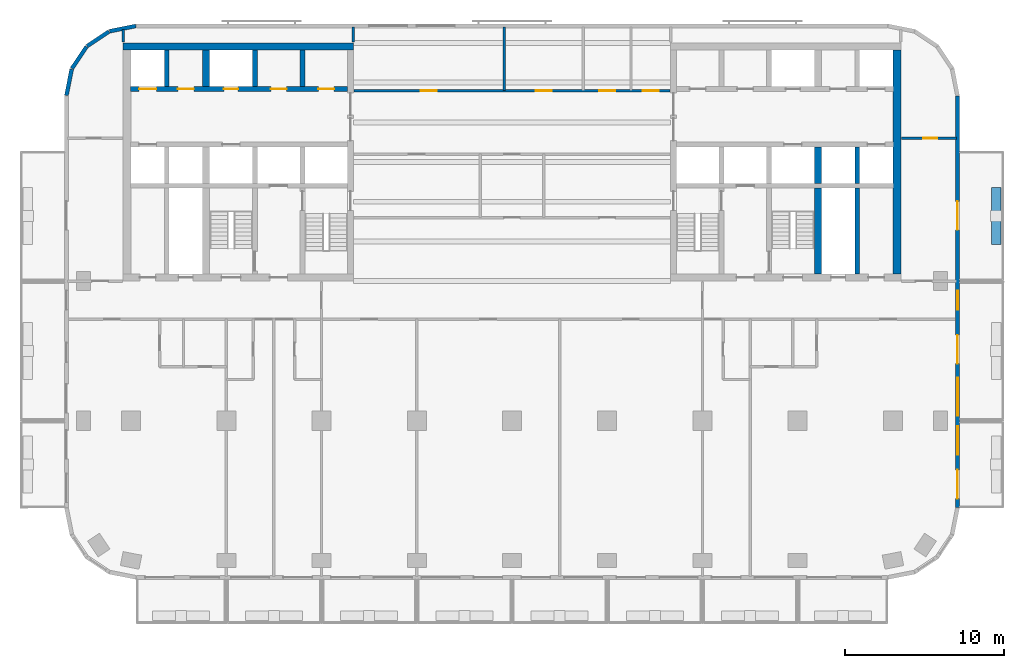
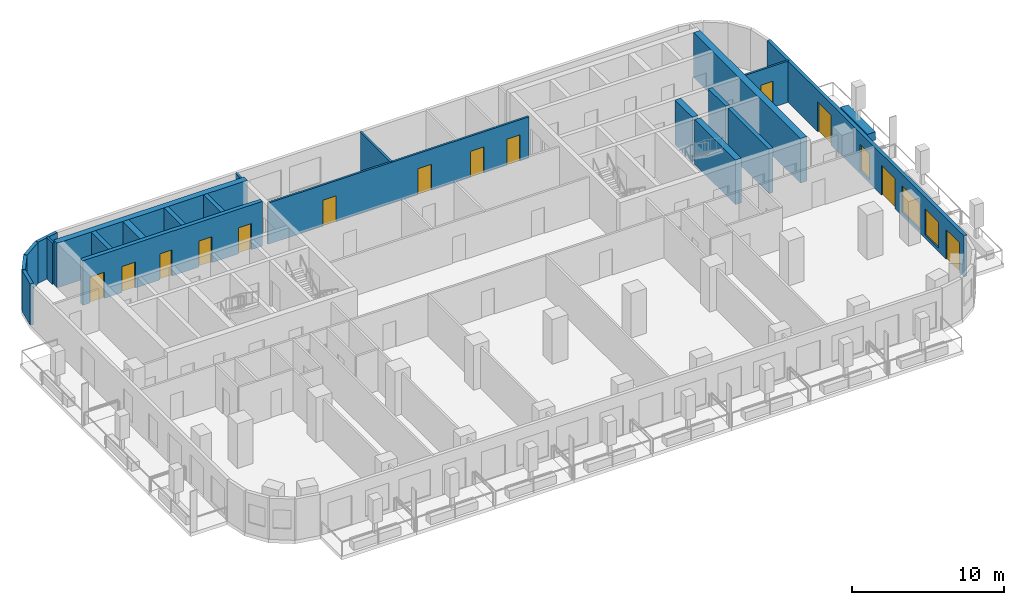
# One storey, part 6 of 11: 22 walls, 13 doors, 3 windows, 16 openings.
"""IFC4 building model written with IfcOpenShell, lengths in metres."""

from ifc_helpers import new_model, si_unit, direction, frame, frame_2d, origin, place, context, subcontext, project, spatial, rectangle, extrude, material, layer, layer_set, type_object, element, fill, save


model = new_model("IFC4")

# Units and contexts
model_context = context("Model", 3, precision=1e-05, world=origin(), true_north=direction((0.0, 1.0)))
body_context = subcontext(model_context, "Body", "Model", "MODEL_VIEW")
ifc_project = project(units=[si_unit("LENGTHUNIT", "METRE"), si_unit("AREAUNIT", "SQUARE_METRE"), si_unit("VOLUMEUNIT", "CUBIC_METRE"), si_unit("PLANEANGLEUNIT", "RADIAN"), si_unit("MASSUNIT", "GRAM", prefix="KILO")], contexts=[model_context])

# Site, building, storey
site_placement = place(None, origin())
site = spatial("IfcSite", under=ifc_project, at=site_placement, CompositionType="ELEMENT")
building_placement = place(site_placement, origin())
building = spatial("IfcBuilding", under=site, at=building_placement, Name="Torana Hotel and Residences", CompositionType="ELEMENT")
storey_placement = place(building_placement, frame((0.0, 0.0, 141.60009765625)))
storey = spatial("IfcBuildingStorey", under=building, at=storey_placement, Name="L36", CompositionType="ELEMENT", Elevation=141.60009765625)

# Wall, openings, doors
ifc_material_1 = material(Name="Concrete C70/85", Category="concrete")
ifc_layer_1 = layer(ifc_material_1, 0.300048828125)
ifc_layer_set_1 = layer_set([ifc_layer_1], Name="CORE WALL 300 C70/85")
wall_type_1 = type_object("IfcWallType", Name="CORE WALL 300 C70/85", PredefinedType="SHEAR", material=ifc_layer_set_1)
wall_1_placement = place(storey_placement, frame((-24.050048828125, -2.89990234375, 0.0), z_axis=(0.0, 0.0, 1.0), x_axis=(1.0, 0.0, 0.0)))
wall_1 = element("IfcWall", 1, at=wall_1_placement, inside=storey, type_object=wall_type_1, Name="Core wall W row-N", PredefinedType="SHEAR", context=body_context, shape_type="SweptSolid", body=[
    extrude(rectangle(XDim=13.699951171875, YDim=0.300048828125, at=frame_2d((6.85009765625, 0.0))), origin(), (0.0, 0.0, 1.0), 3.599853515625),
])
opening_1_placement = place(wall_1_placement, frame((0.550048828125, 0.0, 0.0)))
opening_1 = element("IfcOpeningElement", 2, at=opening_1_placement, cuts=wall_1, Name="Opening LD", PredefinedType="OPENING", context=body_context, shape_type="SweptSolid", body=[
    extrude(rectangle(XDim=1.10009765625, YDim=2.10009765625, at=frame_2d((0.550048828125, 1.050048828125))), frame((0.0, 0.159912109375, 0.0), z_axis=(0.0, -1.0, 0.0), x_axis=(1.0, 0.0, 0.0)), (0.0, 0.0, 1.0), 0.320068359375),
])
opening_2_placement = place(wall_1_placement, frame((5.89990234375, 0.0, 0.0)))
opening_2 = element("IfcOpeningElement", 3, at=opening_2_placement, cuts=wall_1, Name="Opening L36-08", PredefinedType="OPENING", context=body_context, shape_type="SweptSolid", body=[
    extrude(rectangle(XDim=0.89990234375, YDim=2.10009765625, at=frame_2d((0.449951171875, 1.050048828125))), frame((0.0, 0.159912109375, 0.0), z_axis=(0.0, -1.0, 0.0), x_axis=(1.0, 0.0, 0.0)), (0.0, 0.0, 1.0), 0.320068359375),
])
opening_3_placement = place(wall_1_placement, frame((11.85009765625, 0.0, 0.0)))
opening_3 = element("IfcOpeningElement", 4, at=opening_3_placement, cuts=wall_1, Name="Opening L36-09", PredefinedType="OPENING", context=body_context, shape_type="SweptSolid", body=[
    extrude(rectangle(XDim=1.0, YDim=2.10009765625, at=frame_2d((0.5, 1.050048828125))), frame((0.0, 0.159912109375, 0.0), z_axis=(0.0, -1.0, 0.0), x_axis=(1.0, 0.0, 0.0)), (0.0, 0.0, 1.0), 0.320068359375),
])
opening_4_placement = place(wall_1_placement, frame((8.85009765625, 0.0, 0.0)))
opening_4 = element("IfcOpeningElement", 5, at=opening_4_placement, cuts=wall_1, Name="Opening L36-10", PredefinedType="OPENING", context=body_context, shape_type="SweptSolid", body=[
    extrude(rectangle(XDim=1.0, YDim=2.10009765625, at=frame_2d((0.5, 1.050048828125))), frame((0.0, 0.159912109375, 0.0), z_axis=(0.0, -1.0, 0.0), x_axis=(1.0, 0.0, 0.0)), (0.0, 0.0, 1.0), 0.320068359375),
])
opening_5_placement = place(wall_1_placement, frame((3.0, 0.0, 0.0)))
opening_5 = element("IfcOpeningElement", 6, at=opening_5_placement, cuts=wall_1, Name="Opening L36-11", PredefinedType="OPENING", context=body_context, shape_type="SweptSolid", body=[
    extrude(rectangle(XDim=1.0, YDim=2.10009765625, at=frame_2d((0.5, 1.050048828125))), frame((0.0, 0.159912109375, 0.0), z_axis=(0.0, -1.0, 0.0), x_axis=(1.0, 0.0, 0.0)), (0.0, 0.0, 1.0), 0.320068359375),
])
ifc_material_2 = material(Name="Steel S235", Category="steel")
door_type_1 = type_object("IfcDoorType", Name="CORE ROOM FIRE DOOR D14 1000x2100", OperationType="SINGLE_SWING_LEFT", PredefinedType="DOOR", material=ifc_material_2)
door_1_placement = place(opening_3_placement, origin())
door_1 = element("IfcDoor", 7, at=door_1_placement, inside=storey, type_object=door_type_1, Name="N0 door L36", OperationType="SINGLE_SWING_RIGHT", OverallHeight=2.10009765625, OverallWidth=1.0, PredefinedType="DOOR", context=body_context, shape_type="SweptSolid", body=[
    extrude(rectangle(XDim=1.0, YDim=2.10009765625, at=frame_2d((0.5, 1.050048828125))), frame((0.0, 0.02490234375, 0.0), z_axis=(0.0, -1.0, 0.0), x_axis=(1.0, 0.0, 0.0)), (0.0, 0.0, 1.0), 0.050048828125),
])
fill(opening_3, door_1)
door_2_placement = place(opening_4_placement, origin())
door_2 = element("IfcDoor", 8, at=door_2_placement, inside=storey, type_object=door_type_1, Name="N1 door L36", OperationType="SINGLE_SWING_RIGHT", OverallHeight=2.10009765625, OverallWidth=1.0, PredefinedType="DOOR", context=body_context, shape_type="SweptSolid", body=[
    extrude(rectangle(XDim=1.0, YDim=2.10009765625, at=frame_2d((0.5, 1.050048828125))), frame((0.0, 0.02490234375, 0.0), z_axis=(0.0, -1.0, 0.0), x_axis=(1.0, 0.0, 0.0)), (0.0, 0.0, 1.0), 0.050048828125),
])
fill(opening_4, door_2)
door_3_placement = place(opening_5_placement, origin())
door_3 = element("IfcDoor", 9, at=door_3_placement, inside=storey, type_object=door_type_1, Name="Freed-S1 door L36", OperationType="SINGLE_SWING_RIGHT", OverallHeight=2.10009765625, OverallWidth=1.0, PredefinedType="DOOR", context=body_context, shape_type="SweptSolid", body=[
    extrude(rectangle(XDim=1.0, YDim=2.10009765625, at=frame_2d((0.5, 1.050048828125))), frame((0.0, 0.02490234375, 0.0), z_axis=(0.0, -1.0, 0.0), x_axis=(1.0, 0.0, 0.0)), (0.0, 0.0, 1.0), 0.050048828125),
])
fill(opening_5, door_3)
ifc_material_3 = material(Name="Stainless steel 316", Category="steel")
door_type_2 = type_object("IfcDoorType", Name="LIFT LANDING DOOR LD 1100x2100", OperationType="DOUBLE_DOOR_SLIDING", PredefinedType="USERDEFINED", material=ifc_material_3)
door_4_placement = place(opening_1_placement, origin())
door_4 = element("IfcDoor", 10, at=door_4_placement, inside=storey, type_object=door_type_2, Name="Lift landing door M1 L36", ObjectType="LIFT LANDING DOOR", OperationType="DOUBLE_DOOR_SLIDING", OverallHeight=2.10009765625, OverallWidth=1.10009765625, PredefinedType="USERDEFINED", context=body_context, shape_type="SweptSolid", body=[
    extrude(rectangle(XDim=1.10009765625, YDim=2.10009765625, at=frame_2d((0.550048828125, 1.050048828125))), frame((0.0, 0.02490234375, 0.0), z_axis=(0.0, -1.0, 0.0), x_axis=(1.0, 0.0, 0.0)), (0.0, 0.0, 1.0), 0.050048828125),
])
fill(opening_1, door_4)
ifc_material_4 = material(Name="Steel S235", Category="steel")
door_type_3 = type_object("IfcDoorType", Name="RISER ACCESS DOOR D5 900x2100", OperationType="SINGLE_SWING_LEFT", PredefinedType="DOOR", material=ifc_material_4)
door_5_placement = place(opening_2_placement, origin())
door_5 = element("IfcDoor", 11, at=door_5_placement, inside=storey, type_object=door_type_3, Name="N2 door L36", OperationType="SINGLE_SWING_RIGHT", OverallHeight=2.10009765625, OverallWidth=0.89990234375, PredefinedType="DOOR", context=body_context, shape_type="SweptSolid", body=[
    extrude(rectangle(XDim=0.89990234375, YDim=2.10009765625, at=frame_2d((0.449951171875, 1.050048828125))), frame((0.0, 0.02490234375, 0.0), z_axis=(0.0, -1.0, 0.0), x_axis=(1.0, 0.0, 0.0)), (0.0, 0.0, 1.0), 0.050048828125),
])
fill(opening_2, door_5)

# Walls
for number, where, z_axis, x_axis, name in (
    (12, (-13.199951171875, -2.75, 0.0), (0.0, 0.0, 1.0), (0.0, 1.0, 0.0), "Core wall W x3.05-N"),
    (13, (-16.199951171875, -2.75, 0.0), (0.0, 0.0, 1.0), (0.0, 1.0, 0.0), "Core wall W x6.05-N"),
    (14, (-21.75, -2.75, 0.0), (0.0, 0.0, 1.0), (0.0, 1.0, 0.0), "Core wall W mm-N"),
    (15, (21.75, -8.85009765625, 0.0), (0.0, 0.0, 1.0), (0.0, 1.0, 0.0), "Core wall E mm-S"),
):
    element("IfcWall", number, at=place(storey_placement, frame(where, z_axis=z_axis, x_axis=x_axis)), inside=storey, type_object=wall_type_1, Name=name, PredefinedType="SHEAR", context=body_context, shape_type="SweptSolid", body=[
        extrude(rectangle(XDim=2.300048828125, YDim=0.300048828125, at=frame_2d((1.14990234375, 0.0))), origin(), (0.0, 0.0, 1.0), 3.599853515625),
    ])
wall_2_placement = place(storey_placement, frame((21.75, -14.550048828125, 0.0), z_axis=(0.0, 0.0, 1.0), x_axis=(0.0, 1.0, 0.0)))
element("IfcWall", 16, at=wall_2_placement, inside=storey, type_object=wall_type_1, Name="Core wall E mm-band", PredefinedType="SHEAR", context=body_context, shape_type="SweptSolid", body=[
    extrude(rectangle(XDim=5.400146484375, YDim=0.300048828125, at=frame_2d((2.7001953125, 0.0))), origin(), (0.0, 0.0, 1.0), 3.599853515625),
])
ifc_material_5 = material(Name="Concrete C70/85", Category="concrete")
ifc_layer_2 = layer(ifc_material_5, 0.449951171875)
ifc_layer_set_2 = layer_set([ifc_layer_2], Name="CORE WALL 450 C70/85")
wall_type_2 = type_object("IfcWallType", Name="CORE WALL 450 C70/85", PredefinedType="SHEAR", material=ifc_layer_set_2)
wall_3_placement = place(storey_placement, frame((-24.5, -0.22509765625, 0.0), z_axis=(0.0, 0.0, 1.0), x_axis=(1.0, 0.0, 0.0)))
element("IfcWall", 17, at=wall_3_placement, inside=storey, type_object=wall_type_2, Name="Core wall W rear", PredefinedType="SHEAR", context=body_context, shape_type="SweptSolid", body=[
    extrude(rectangle(XDim=14.5, YDim=0.449951171875, at=frame_2d((7.25, 0.0))), origin(), (0.0, 0.0, 1.0), 3.599853515625),
])
for number, where, z_axis, x_axis, name in (
    (18, (-19.27490234375, -2.75, 0.0), (0.0, 0.0, 1.0), (0.0, 1.0, 0.0), "Core wall W hm-N"),
    (19, (19.27490234375, -8.85009765625, 0.0), (0.0, 0.0, 1.0), (0.0, 1.0, 0.0), "Core wall E hm-S"),
):
    element("IfcWall", number, at=place(storey_placement, frame(where, z_axis=z_axis, x_axis=x_axis)), inside=storey, type_object=wall_type_2, Name=name, PredefinedType="SHEAR", context=body_context, shape_type="SweptSolid", body=[
        extrude(rectangle(XDim=2.300048828125, YDim=0.449951171875, at=frame_2d((1.14990234375, 0.0))), origin(), (0.0, 0.0, 1.0), 3.599853515625),
    ])
wall_4_placement = place(storey_placement, frame((19.27490234375, -14.550048828125, 0.0), z_axis=(0.0, 0.0, 1.0), x_axis=(0.0, 1.0, 0.0)))
element("IfcWall", 20, at=wall_4_placement, inside=storey, type_object=wall_type_2, Name="Core wall E hm-band", PredefinedType="SHEAR", context=body_context, shape_type="SweptSolid", body=[
    extrude(rectangle(XDim=5.400146484375, YDim=0.449951171875, at=frame_2d((2.7001953125, 0.0))), origin(), (0.0, 0.0, 1.0), 3.599853515625),
])
ifc_material_6 = material(Name="Concrete C70/85", Category="concrete")
ifc_layer_3 = layer(ifc_material_6, 0.5)
ifc_layer_set_3 = layer_set([ifc_layer_3], Name="CORE WALL 500 C70/85")
wall_type_3 = type_object("IfcWallType", Name="CORE WALL 500 C70/85", PredefinedType="SHEAR", material=ifc_layer_set_3)
wall_5_placement = place(storey_placement, frame((24.25, -14.550048828125, 0.0), z_axis=(0.0, 0.0, 1.0), x_axis=(0.0, 1.0, 0.0)))
element("IfcWall", 21, at=wall_5_placement, inside=storey, type_object=wall_type_3, Name="Core wall E outer", PredefinedType="SHEAR", context=body_context, shape_type="SweptSolid", body=[
    extrude(rectangle(XDim=14.10009765625, YDim=0.5, at=frame_2d((7.050048828125, 0.0))), origin(), (0.0, 0.0, 1.0), 3.599853515625),
])
ifc_material_7 = material(Name="Black aluminium composite panel", Category="aluminium")
ifc_layer_4 = layer(ifc_material_7, 0.00390625, Name="Cladding", Category="cladding")
ifc_material_8 = material(Name="Ventilated air cavity")
ifc_layer_5 = layer(ifc_material_8, 0.0400390625, Name="Ventilated cavity", Category="cavity")
ifc_material_9 = material(Name="Mineral wool insulation")
ifc_layer_6 = layer(ifc_material_9, 0.090087890625, Name="Insulation", Category="insulation")
ifc_material_10 = material(Name="Steel S280GD", Category="steel")
ifc_layer_7 = layer(ifc_material_10, 0.092041015625, Name="Steel stud frame", Category="structure")
ifc_material_11 = material(Name="Fire rated plasterboard")
ifc_layer_8 = layer(ifc_material_11, 0.011962890625, Name="Inner board", Category="finish")
ifc_layer_9 = layer(ifc_material_11, 0.011962890625, Name="Second board", Category="finish")
ifc_layer_set_4 = layer_set([ifc_layer_4, ifc_layer_5, ifc_layer_6, ifc_layer_7, ifc_layer_8, ifc_layer_9], Name="EW1 EXTERNAL WALL BLACK METAL CLAD 250")
wall_type_4 = type_object("IfcWallType", Name="EW1 EXTERNAL WALL BLACK METAL CLAD 250", PredefinedType="SOLIDWALL", material=ifc_layer_set_4)
wall_6_placement = place(storey_placement, frame((-23.69970703125, 1.072509765625, 0.0), z_axis=(0.0, 0.0, 1.0), x_axis=(-0.980803419081, -0.194999110559, 0.0)))
element("IfcWall", 22, at=wall_6_placement, inside=storey, type_object=wall_type_4, Name="External wall L36 e0.5", PredefinedType="SOLIDWALL", context=body_context, shape_type="SweptSolid", body=[
    extrude(rectangle(XDim=1.681396484375, YDim=0.25, at=frame_2d((0.8408203125, 0.0))), origin(), (0.0, 0.0, 1.0), 3.31982421875),
])
for number, where, z_axis, x_axis, name in (
    (23, (-25.39404296875, 0.725830078125, 0.0), (0.0, 0.0, 1.0), (-0.831482937015, -0.55555029066, 0.0), "External wall L36 e0.6"),
    (24, (-26.8056640625, -0.228759765625, 0.0), (0.0, 0.0, 1.0), (-0.55555029066, -0.831482937015, 0.0), "External wall L36 e0.7"),
):
    element("IfcWall", number, at=place(storey_placement, frame(where, z_axis=z_axis, x_axis=x_axis)), inside=storey, type_object=wall_type_4, Name=name, PredefinedType="SOLIDWALL", context=body_context, shape_type="SweptSolid", body=[
        extrude(rectangle(XDim=1.65625, YDim=0.25, at=frame_2d((0.828125, 0.0))), origin(), (0.0, 0.0, 1.0), 3.31982421875),
    ])
wall_7_placement = place(storey_placement, frame((-27.74462890625, -1.651123046875, 0.0), z_axis=(0.0, 0.0, 1.0), x_axis=(-0.194999110559, -0.980803419081, 0.0)))
element("IfcWall", 25, at=wall_7_placement, inside=storey, type_object=wall_type_4, Name="External wall L36 e0.8", PredefinedType="SOLIDWALL", context=body_context, shape_type="SweptSolid", body=[
    extrude(rectangle(XDim=1.681396484375, YDim=0.25, at=frame_2d((0.8408203125, 0.0))), origin(), (0.0, 0.0, 1.0), 3.31982421875),
])

# Wall, openings, doors, windows
wall_8_placement = place(storey_placement, frame((28.074951171875, -29.275390625, 0.0), z_axis=(0.0, 0.0, 1.0), x_axis=(0.0, 1.0, 0.0)))
wall_8 = element("IfcWall", 26, at=wall_8_placement, inside=storey, type_object=wall_type_4, Name="External wall L36 e0.19", PredefinedType="SOLIDWALL", context=body_context, shape_type="SweptSolid", body=[
    extrude(rectangle(XDim=25.95068359375, YDim=0.25, at=frame_2d((12.975341796875, 0.0))), origin(), (0.0, 0.0, 1.0), 3.31982421875),
])
opening_6_placement = place(wall_8_placement, frame((0.575439453125, 0.0, 0.0)))
opening_6 = element("IfcOpeningElement", 27, at=opening_6_placement, cuts=wall_8, Name="Opening L36-E09", PredefinedType="OPENING", context=body_context, shape_type="SweptSolid", body=[
    extrude(rectangle(XDim=1.800048828125, YDim=2.39990234375, at=frame_2d((0.89990234375, 1.199951171875))), frame((0.0, 0.135009765625, 0.0), z_axis=(0.0, -1.0, 0.0), x_axis=(1.0, 0.0, 0.0)), (0.0, 0.0, 1.0), 0.27001953125),
])
opening_7_placement = place(wall_8_placement, frame((3.325439453125, 0.0, 0.300048828125)))
opening_7 = element("IfcOpeningElement", 28, at=opening_7_placement, cuts=wall_8, Name="Opening W2", PredefinedType="OPENING", context=body_context, shape_type="SweptSolid", body=[
    extrude(rectangle(XDim=1.800048828125, YDim=2.10009765625, at=frame_2d((0.89990234375, 1.050048828125))), frame((0.0, 0.135009765625, 0.0), z_axis=(0.0, -1.0, 0.0), x_axis=(1.0, 0.0, 0.0)), (0.0, 0.0, 1.0), 0.27001953125),
])
opening_8_placement = place(wall_8_placement, frame((5.775390625, 0.0, 0.300048828125)))
opening_8 = element("IfcOpeningElement", 29, at=opening_8_placement, cuts=wall_8, Name="Opening W1", PredefinedType="OPENING", context=body_context, shape_type="SweptSolid", body=[
    extrude(rectangle(XDim=2.39990234375, YDim=2.10009765625, at=frame_2d((1.199951171875, 1.050048828125))), frame((0.0, 0.135009765625, 0.0), z_axis=(0.0, -1.0, 0.0), x_axis=(1.0, 0.0, 0.0)), (0.0, 0.0, 1.0), 0.27001953125),
])
opening_9_placement = place(wall_8_placement, frame((9.075439453125, 0.0, 0.0)))
opening_9 = element("IfcOpeningElement", 30, at=opening_9_placement, cuts=wall_8, Name="Opening L36-E10", PredefinedType="OPENING", context=body_context, shape_type="SweptSolid", body=[
    extrude(rectangle(XDim=1.800048828125, YDim=2.39990234375, at=frame_2d((0.89990234375, 1.199951171875))), frame((0.0, 0.135009765625, 0.0), z_axis=(0.0, -1.0, 0.0), x_axis=(1.0, 0.0, 0.0)), (0.0, 0.0, 1.0), 0.27001953125),
])
opening_10_placement = place(wall_8_placement, frame((12.475341796875, 0.0, 0.300048828125)))
opening_10 = element("IfcOpeningElement", 31, at=opening_10_placement, cuts=wall_8, Name="Opening W7", PredefinedType="OPENING", context=body_context, shape_type="SweptSolid", body=[
    extrude(rectangle(XDim=1.199951171875, YDim=2.10009765625, at=frame_2d((0.60009765625, 1.050048828125))), frame((0.0, 0.135009765625, 0.0), z_axis=(0.0, -1.0, 0.0), x_axis=(1.0, 0.0, 0.0)), (0.0, 0.0, 1.0), 0.27001953125),
])
opening_11_placement = place(wall_8_placement, frame((17.50048828125, 0.0, 0.0)))
opening_11 = element("IfcOpeningElement", 32, at=opening_11_placement, cuts=wall_8, Name="Opening L36-E11", PredefinedType="OPENING", context=body_context, shape_type="SweptSolid", body=[
    extrude(rectangle(XDim=1.800048828125, YDim=2.39990234375, at=frame_2d((0.89990234375, 1.199951171875))), frame((0.0, 0.135009765625, 0.0), z_axis=(0.0, -1.0, 0.0), x_axis=(1.0, 0.0, 0.0)), (0.0, 0.0, 1.0), 0.27001953125),
])
ifc_material_12 = material(Name="Dark glass in black aluminium frame", Category="aluminium")
door_type_4 = type_object("IfcDoorType", Name="DB1 BALCONY DOOR 1800x2400", OperationType="DOUBLE_DOOR_SINGLE_SWING", PredefinedType="DOOR", material=ifc_material_12)
door_6_placement = place(opening_6_placement, origin())
door_6 = element("IfcDoor", 33, at=door_6_placement, inside=storey, type_object=door_type_4, Name="Balcony door L36", OperationType="DOUBLE_DOOR_SINGLE_SWING", OverallHeight=2.39990234375, OverallWidth=1.800048828125, PredefinedType="DOOR", context=body_context, shape_type="SweptSolid", body=[
    extrude(rectangle(XDim=1.800048828125, YDim=2.39990234375, at=frame_2d((0.89990234375, 1.199951171875))), frame((0.0, 0.02490234375, 0.0), z_axis=(0.0, -1.0, 0.0), x_axis=(1.0, 0.0, 0.0)), (0.0, 0.0, 1.0), 0.050048828125),
])
fill(opening_6, door_6)
door_7_placement = place(opening_9_placement, origin())
door_7 = element("IfcDoor", 34, at=door_7_placement, inside=storey, type_object=door_type_4, Name="Balcony door L36", OperationType="DOUBLE_DOOR_SINGLE_SWING", OverallHeight=2.39990234375, OverallWidth=1.800048828125, PredefinedType="DOOR", context=body_context, shape_type="SweptSolid", body=[
    extrude(rectangle(XDim=1.800048828125, YDim=2.39990234375, at=frame_2d((0.89990234375, 1.199951171875))), frame((0.0, 0.02490234375, 0.0), z_axis=(0.0, -1.0, 0.0), x_axis=(1.0, 0.0, 0.0)), (0.0, 0.0, 1.0), 0.050048828125),
])
fill(opening_9, door_7)
door_8_placement = place(opening_11_placement, origin())
door_8 = element("IfcDoor", 35, at=door_8_placement, inside=storey, type_object=door_type_4, Name="Balcony door L36", OperationType="DOUBLE_DOOR_SINGLE_SWING", OverallHeight=2.39990234375, OverallWidth=1.800048828125, PredefinedType="DOOR", context=body_context, shape_type="SweptSolid", body=[
    extrude(rectangle(XDim=1.800048828125, YDim=2.39990234375, at=frame_2d((0.89990234375, 1.199951171875))), frame((0.0, 0.02490234375, 0.0), z_axis=(0.0, -1.0, 0.0), x_axis=(1.0, 0.0, 0.0)), (0.0, 0.0, 1.0), 0.050048828125),
])
fill(opening_11, door_8)
ifc_material_13 = material(Name="Dark glass in black aluminium frame", Category="aluminium")
window_type_1 = type_object("IfcWindowType", Name="W1 HOTEL ROOM WINDOW 2400x2100", PartitioningType="SINGLE_PANEL", PredefinedType="WINDOW", material=ifc_material_13)
window_1_placement = place(opening_8_placement, origin())
window_1 = element("IfcWindow", 36, at=window_1_placement, inside=storey, type_object=window_type_1, Name="Window L36", OverallHeight=2.10009765625, OverallWidth=2.39990234375, PartitioningType="SINGLE_PANEL", PredefinedType="WINDOW", context=body_context, shape_type="SweptSolid", body=[
    extrude(rectangle(XDim=2.39990234375, YDim=2.10009765625, at=frame_2d((1.199951171875, 1.050048828125))), frame((0.0, 0.030029296875, 0.0), z_axis=(0.0, -1.0, 0.0), x_axis=(1.0, 0.0, 0.0)), (0.0, 0.0, 1.0), 0.06005859375),
])
fill(opening_8, window_1)
ifc_material_14 = material(Name="Dark glass in black aluminium frame", Category="aluminium")
window_type_2 = type_object("IfcWindowType", Name="W2 HOTEL ROOM WINDOW NARROW 1800x2100", PartitioningType="SINGLE_PANEL", PredefinedType="WINDOW", material=ifc_material_14)
window_2_placement = place(opening_7_placement, origin())
window_2 = element("IfcWindow", 37, at=window_2_placement, inside=storey, type_object=window_type_2, Name="Window L36", OverallHeight=2.10009765625, OverallWidth=1.800048828125, PartitioningType="SINGLE_PANEL", PredefinedType="WINDOW", context=body_context, shape_type="SweptSolid", body=[
    extrude(rectangle(XDim=1.800048828125, YDim=2.10009765625, at=frame_2d((0.89990234375, 1.050048828125))), frame((0.0, 0.030029296875, 0.0), z_axis=(0.0, -1.0, 0.0), x_axis=(1.0, 0.0, 0.0)), (0.0, 0.0, 1.0), 0.06005859375),
])
fill(opening_7, window_2)
ifc_material_15 = material(Name="Dark glass in black aluminium frame", Category="aluminium")
window_type_3 = type_object("IfcWindowType", Name="W7 HOTEL CORRIDOR WINDOW 1200x2100", PartitioningType="SINGLE_PANEL", PredefinedType="WINDOW", material=ifc_material_15)
window_3_placement = place(opening_10_placement, origin())
window_3 = element("IfcWindow", 38, at=window_3_placement, inside=storey, type_object=window_type_3, Name="Window L36", OverallHeight=2.10009765625, OverallWidth=1.199951171875, PartitioningType="SINGLE_PANEL", PredefinedType="WINDOW", context=body_context, shape_type="SweptSolid", body=[
    extrude(rectangle(XDim=1.199951171875, YDim=2.10009765625, at=frame_2d((0.60009765625, 1.050048828125))), frame((0.0, 0.030029296875, 0.0), z_axis=(0.0, -1.0, 0.0), x_axis=(1.0, 0.0, 0.0)), (0.0, 0.0, 1.0), 0.06005859375),
])
fill(opening_10, window_3)

# Wall, openings, doors
ifc_material_16 = material(Name="Gypsum plaster")
ifc_layer_10 = layer(ifc_material_16, 0.014892578125, Name="Plaster", Category="finish")
ifc_material_17 = material(Name="Concrete blockwork", Category="masonry")
ifc_layer_11 = layer(ifc_material_17, 0.1201171875, Name="Blockwork", Category="structure")
ifc_layer_12 = layer(ifc_material_16, 0.014892578125, Name="Plaster", Category="finish")
ifc_layer_set_5 = layer_set([ifc_layer_10, ifc_layer_11, ifc_layer_12], Name="FIRE PARTITION 150 BLOCKWORK")
wall_type_5 = type_object("IfcWallType", Name="FIRE PARTITION 150 BLOCKWORK", PredefinedType="PARTITIONING", material=ifc_layer_set_5)
wall_9_placement = place(storey_placement, frame((-9.949951171875, -3.0, 0.0), z_axis=(0.0, 0.0, 1.0), x_axis=(1.0, 0.0, 0.0)))
wall_9 = element("IfcWall", 39, at=wall_9_placement, inside=storey, type_object=wall_type_5, Name="Partition L36", PredefinedType="PARTITIONING", context=body_context, shape_type="SweptSolid", body=[
    extrude(rectangle(XDim=19.89990234375, YDim=0.14990234375, at=frame_2d((9.949951171875, 0.0))), origin(), (0.0, 0.0, 1.0), 3.31982421875),
])
opening_12_placement = place(wall_9_placement, frame((4.199951171875, 0.0, 0.0)))
opening_12 = element("IfcOpeningElement", 40, at=opening_12_placement, cuts=wall_9, Name="Opening L36-43", PredefinedType="OPENING", context=body_context, shape_type="SweptSolid", body=[
    extrude(rectangle(XDim=1.0, YDim=2.10009765625, at=frame_2d((0.5, 1.050048828125))), frame((0.0, 0.0849609375, 0.0), z_axis=(0.0, -1.0, 0.0), x_axis=(1.0, 0.0, 0.0)), (0.0, 0.0, 1.0), 0.169921875),
])
opening_13_placement = place(wall_9_placement, frame((11.449951171875, 0.0, 0.0)))
opening_13 = element("IfcOpeningElement", 41, at=opening_13_placement, cuts=wall_9, Name="Opening L36-44", PredefinedType="OPENING", context=body_context, shape_type="SweptSolid", body=[
    extrude(rectangle(XDim=1.0, YDim=2.10009765625, at=frame_2d((0.5, 1.050048828125))), frame((0.0, 0.0849609375, 0.0), z_axis=(0.0, -1.0, 0.0), x_axis=(1.0, 0.0, 0.0)), (0.0, 0.0, 1.0), 0.169921875),
])
opening_14_placement = place(wall_9_placement, frame((15.449951171875, 0.0, 0.0)))
opening_14 = element("IfcOpeningElement", 42, at=opening_14_placement, cuts=wall_9, Name="Opening L36-45", PredefinedType="OPENING", context=body_context, shape_type="SweptSolid", body=[
    extrude(rectangle(XDim=1.0, YDim=2.10009765625, at=frame_2d((0.5, 1.050048828125))), frame((0.0, 0.0849609375, 0.0), z_axis=(0.0, -1.0, 0.0), x_axis=(1.0, 0.0, 0.0)), (0.0, 0.0, 1.0), 0.169921875),
])
opening_15_placement = place(wall_9_placement, frame((18.199951171875, 0.0, 0.0)))
opening_15 = element("IfcOpeningElement", 43, at=opening_15_placement, cuts=wall_9, Name="Opening L36-46", PredefinedType="OPENING", context=body_context, shape_type="SweptSolid", body=[
    extrude(rectangle(XDim=1.0, YDim=2.10009765625, at=frame_2d((0.5, 1.050048828125))), frame((0.0, 0.0849609375, 0.0), z_axis=(0.0, -1.0, 0.0), x_axis=(1.0, 0.0, 0.0)), (0.0, 0.0, 1.0), 0.169921875),
])
ifc_material_18 = material(Name="Steel S235", Category="steel")
door_type_5 = type_object("IfcDoorType", Name="ENTRY FIRE DOOR D6 1000x2100", OperationType="SINGLE_SWING_LEFT", PredefinedType="DOOR", material=ifc_material_18)
door_9_placement = place(opening_12_placement, origin())
door_9 = element("IfcDoor", 44, at=door_9_placement, inside=storey, type_object=door_type_5, Name="Door L36", OperationType="SINGLE_SWING_RIGHT", OverallHeight=2.10009765625, OverallWidth=1.0, PredefinedType="DOOR", context=body_context, shape_type="SweptSolid", body=[
    extrude(rectangle(XDim=1.0, YDim=2.10009765625, at=frame_2d((0.5, 1.050048828125))), frame((0.0, 0.02490234375, 0.0), z_axis=(0.0, -1.0, 0.0), x_axis=(1.0, 0.0, 0.0)), (0.0, 0.0, 1.0), 0.050048828125),
])
fill(opening_12, door_9)
door_10_placement = place(opening_13_placement, origin())
door_10 = element("IfcDoor", 45, at=door_10_placement, inside=storey, type_object=door_type_5, Name="Door L36", OperationType="SINGLE_SWING_RIGHT", OverallHeight=2.10009765625, OverallWidth=1.0, PredefinedType="DOOR", context=body_context, shape_type="SweptSolid", body=[
    extrude(rectangle(XDim=1.0, YDim=2.10009765625, at=frame_2d((0.5, 1.050048828125))), frame((0.0, 0.02490234375, 0.0), z_axis=(0.0, -1.0, 0.0), x_axis=(1.0, 0.0, 0.0)), (0.0, 0.0, 1.0), 0.050048828125),
])
fill(opening_13, door_10)
door_11_placement = place(opening_14_placement, origin())
door_11 = element("IfcDoor", 46, at=door_11_placement, inside=storey, type_object=door_type_5, Name="Door L36", OperationType="SINGLE_SWING_RIGHT", OverallHeight=2.10009765625, OverallWidth=1.0, PredefinedType="DOOR", context=body_context, shape_type="SweptSolid", body=[
    extrude(rectangle(XDim=1.0, YDim=2.10009765625, at=frame_2d((0.5, 1.050048828125))), frame((0.0, 0.02490234375, 0.0), z_axis=(0.0, -1.0, 0.0), x_axis=(1.0, 0.0, 0.0)), (0.0, 0.0, 1.0), 0.050048828125),
])
fill(opening_14, door_11)
door_12_placement = place(opening_15_placement, origin())
door_12 = element("IfcDoor", 47, at=door_12_placement, inside=storey, type_object=door_type_5, Name="Door L36", OperationType="SINGLE_SWING_RIGHT", OverallHeight=2.10009765625, OverallWidth=1.0, PredefinedType="DOOR", context=body_context, shape_type="SweptSolid", body=[
    extrude(rectangle(XDim=1.0, YDim=2.10009765625, at=frame_2d((0.5, 1.050048828125))), frame((0.0, 0.02490234375, 0.0), z_axis=(0.0, -1.0, 0.0), x_axis=(1.0, 0.0, 0.0)), (0.0, 0.0, 1.0), 0.050048828125),
])
fill(opening_15, door_12)

# Walls
ifc_material_19 = material(Name="Gypsum plasterboard")
ifc_layer_13 = layer(ifc_material_19, 0.012451171875, Name="Plasterboard", Category="finish")
ifc_layer_14 = layer(ifc_material_19, 0.012451171875, Name="Plasterboard", Category="finish")
ifc_layer_15 = layer(ifc_material_10, 0.10009765625, Name="Steel studs with mineral wool", Category="insulation")
ifc_layer_16 = layer(ifc_material_19, 0.012451171875, Name="Plasterboard", Category="finish")
ifc_layer_17 = layer(ifc_material_19, 0.012451171875, Name="Plasterboard", Category="finish")
ifc_layer_set_6 = layer_set([ifc_layer_13, ifc_layer_14, ifc_layer_15, ifc_layer_16, ifc_layer_17], Name="PARTITION 150 PLASTERBOARD")
wall_type_6 = type_object("IfcWallType", Name="PARTITION 150 PLASTERBOARD", PredefinedType="PARTITIONING", material=ifc_layer_set_6)
wall_10_placement = place(storey_placement, frame((-0.5, -3.0, 0.0), z_axis=(0.0, 0.0, 1.0), x_axis=(0.0, 1.0, 0.0)))
element("IfcWall", 48, at=wall_10_placement, inside=storey, type_object=wall_type_6, Name="Partition L36", PredefinedType="PARTITIONING", context=body_context, shape_type="SweptSolid", body=[
    extrude(rectangle(XDim=4.02001953125, YDim=0.14990234375, at=frame_2d((2.010009765625, 0.0))), origin(), (0.0, 0.0, 1.0), 3.31982421875),
])
wall_11_placement = place(storey_placement, frame((-10.0, 0.050048828125, 0.0), z_axis=(0.0, 0.0, 1.0), x_axis=(0.0, 1.0, 0.0)))
element("IfcWall", 49, at=wall_11_placement, inside=storey, type_object=wall_type_6, Name="Partition L36", PredefinedType="PARTITIONING", context=body_context, shape_type="SweptSolid", body=[
    extrude(rectangle(XDim=0.969970703125, YDim=0.14990234375, at=frame_2d((0.48486328125, 0.0))), origin(), (0.0, 0.0, 1.0), 3.31982421875),
])
wall_12_placement = place(storey_placement, frame((-24.5, 0.050048828125, 0.0), z_axis=(0.0, 0.0, 1.0), x_axis=(0.0, 1.0, 0.0)))
element("IfcWall", 50, at=wall_12_placement, inside=storey, type_object=wall_type_6, Name="Partition L36", PredefinedType="PARTITIONING", context=body_context, shape_type="SweptSolid", body=[
    extrude(rectangle(XDim=0.807373046875, YDim=0.14990234375, at=frame_2d((0.40380859375, 0.0))), origin(), (0.0, 0.0, 1.0), 3.31982421875),
])

# Wall, opening, door
wall_13_placement = place(storey_placement, frame((24.550048828125, -6.0, 0.0), z_axis=(0.0, 0.0, 1.0), x_axis=(1.0, 0.0, 0.0)))
wall_13 = element("IfcWall", 51, at=wall_13_placement, inside=storey, type_object=wall_type_6, Name="Partition L36", PredefinedType="PARTITIONING", context=body_context, shape_type="SweptSolid", body=[
    extrude(rectangle(XDim=3.469970703125, YDim=0.14990234375, at=frame_2d((1.73486328125, 0.0))), origin(), (0.0, 0.0, 1.0), 3.31982421875),
])
opening_16_placement = place(wall_13_placement, frame((1.35009765625, 0.0, 0.0)))
opening_16 = element("IfcOpeningElement", 52, at=opening_16_placement, cuts=wall_13, Name="Opening L36-55", PredefinedType="OPENING", context=body_context, shape_type="SweptSolid", body=[
    extrude(rectangle(XDim=0.89990234375, YDim=2.10009765625, at=frame_2d((0.449951171875, 1.050048828125))), frame((0.0, 0.0849609375, 0.0), z_axis=(0.0, -1.0, 0.0), x_axis=(1.0, 0.0, 0.0)), (0.0, 0.0, 1.0), 0.169921875),
])
ifc_material_20 = material(Name="Timber door, oiled ash", Category="wood")
door_type_6 = type_object("IfcDoorType", Name="ROOM DOOR D7 900x2100", OperationType="SINGLE_SWING_LEFT", PredefinedType="DOOR", material=ifc_material_20)
door_13_placement = place(opening_16_placement, origin())
door_13 = element("IfcDoor", 53, at=door_13_placement, inside=storey, type_object=door_type_6, Name="Door L36", OperationType="SINGLE_SWING_LEFT", OverallHeight=2.10009765625, OverallWidth=0.89990234375, PredefinedType="DOOR", context=body_context, shape_type="SweptSolid", body=[
    extrude(rectangle(XDim=0.89990234375, YDim=2.10009765625, at=frame_2d((0.449951171875, 1.050048828125))), frame((0.0, 0.02490234375, 0.0), z_axis=(0.0, -1.0, 0.0), x_axis=(1.0, 0.0, 0.0)), (0.0, 0.0, 1.0), 0.050048828125),
])
fill(opening_16, door_13)

# Wall
ifc_material_21 = material(Name="Concrete C40/50 precast", Category="concrete")
ifc_layer_18 = layer(ifc_material_21, 0.10009765625, Name="Planter shell", Category="structure")
ifc_material_22 = material(Name="Root resistant membrane")
ifc_layer_19 = layer(ifc_material_22, 0.00390625, Name="Waterproofing membrane", Category="membrane")
ifc_material_23 = material(Name="Drainage board with filter fleece")
ifc_layer_20 = layer(ifc_material_23, 0.02001953125, Name="Drainage board", Category="drainage")
ifc_material_24 = material(Name="Growing medium")
ifc_layer_21 = layer(ifc_material_24, 0.47607421875, Name="Planting substrate", Category="soil")
ifc_layer_set_7 = layer_set([ifc_layer_18, ifc_layer_19, ifc_layer_20, ifc_layer_21], Name="PL1 BALCONY PLANTER 600")
wall_type_7 = type_object("IfcWallType", Name="PL1 BALCONY PLANTER 600", PredefinedType="USERDEFINED", material=ifc_layer_set_7)
wall_14_placement = place(storey_placement, frame((30.5, -9.10009765625, 0.0), z_axis=(0.0, 0.0, 1.0), x_axis=(0.0, -1.0, 0.0)))
element("IfcWall", 54, at=wall_14_placement, inside=storey, type_object=wall_type_7, Name="Planter 14", ObjectType="PLANTER", PredefinedType="USERDEFINED", context=body_context, shape_type="SweptSolid", body=[
    extrude(rectangle(XDim=3.599853515625, YDim=0.60009765625, at=frame_2d((1.7998046875, 0.0))), origin(), (0.0, 0.0, 1.0), 0.64990234375),
])

save(model, "model.ifc")
